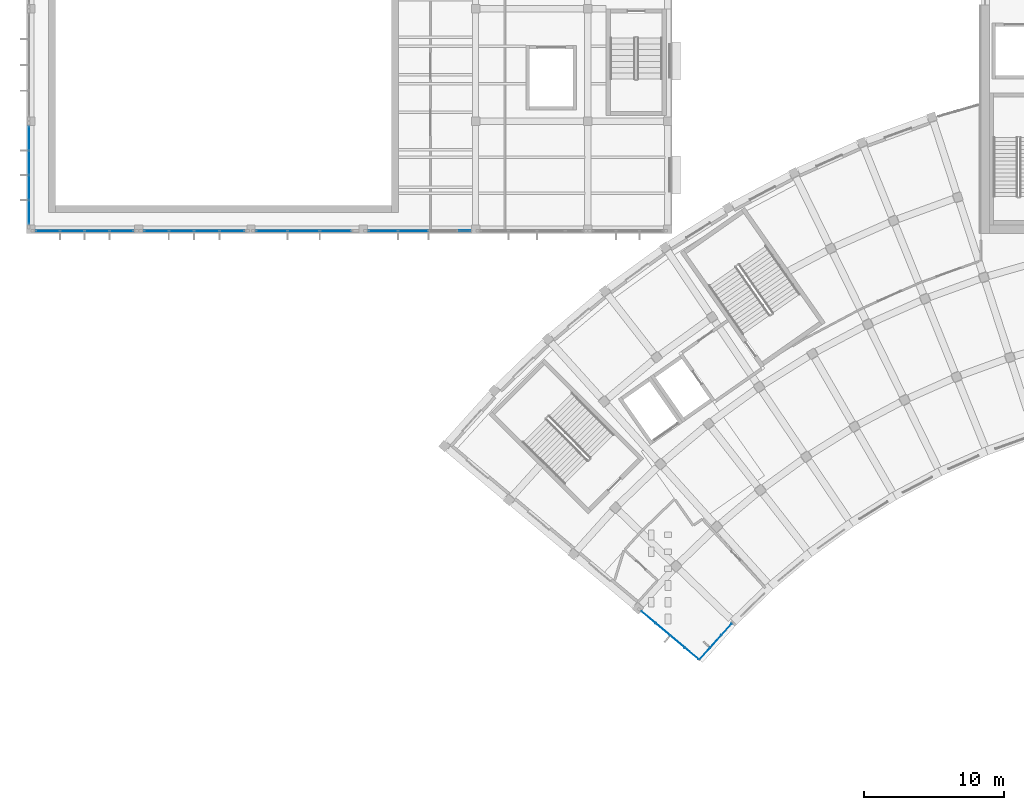
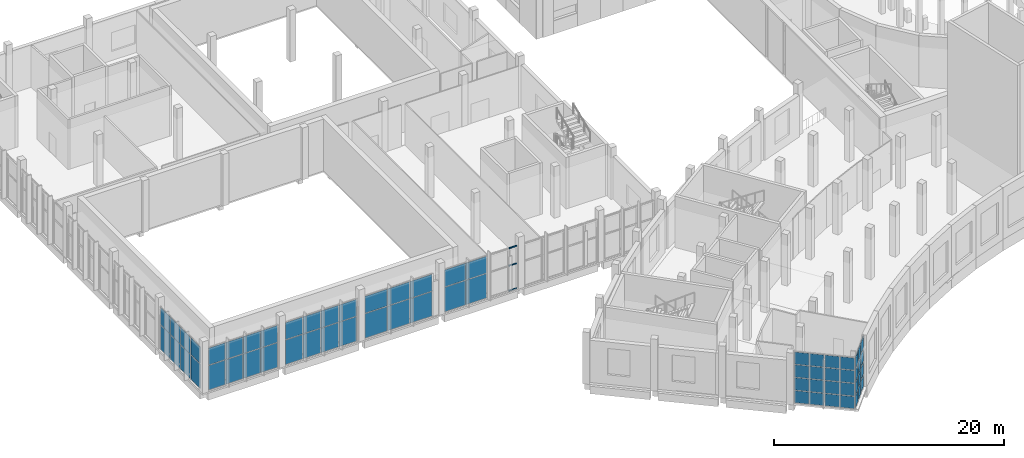
# One storey, part 23 of 87: 62 plates, 3 members, 8 elements without a shape of their own.
"""IFC4 building model written with IfcOpenShell, lengths in metres."""

from ifc_helpers import new_model, si_unit, direction, frame, origin, origin_2d, place, context, subcontext, project, spatial, rectangle, extrude, material, layer, layer_set, material_profile, profile_set, type_object, element, aggregate, save


model = new_model("IFC4")

# Units and contexts
model_context = context("Model", 3, precision=1e-05, world=origin(), true_north=direction((0.0, 1.0)))
body_context = subcontext(model_context, "Body", "Model", "MODEL_VIEW")
ifc_project = project(units=[si_unit("LENGTHUNIT", "METRE"), si_unit("AREAUNIT", "SQUARE_METRE"), si_unit("VOLUMEUNIT", "CUBIC_METRE"), si_unit("PLANEANGLEUNIT", "RADIAN"), si_unit("MASSUNIT", "GRAM", prefix="KILO")], contexts=[model_context])

# Site, building, storey
site_placement = place(None, origin())
site = spatial("IfcSite", under=ifc_project, at=site_placement, CompositionType="ELEMENT")
building_placement = place(site_placement, origin())
building = spatial("IfcBuilding", under=site, at=building_placement, Name="Lunette Opera House", CompositionType="ELEMENT")
storey_placement = place(building_placement, frame((0.0, 0.0, 11.5)))
storey = spatial("IfcBuildingStorey", under=building, at=storey_placement, Name="L02", CompositionType="ELEMENT", Elevation=11.5)

# Curtain wall, members
ifc_material_1 = material(Name="Aluminium", Category="aluminium")
ifc_layer_1 = layer(ifc_material_1, 0.179931640625)
ifc_layer_set_1 = layer_set([ifc_layer_1], Name="Aluminium")
curtain_wall_type_1 = type_object("IfcCurtainWallType", Name="SUN FACE CURTAIN WALL", PredefinedType="NOTDEFINED", material=ifc_layer_set_1)
curtain_wall_1_placement = place(storey_placement, origin())
curtain_wall_1 = element("IfcCurtainWall", 1, at=curtain_wall_1_placement, inside=storey, type_object=curtain_wall_type_1, Name="Sun Face Curtain Wall F23-1 L02", PredefinedType="NOTDEFINED")
ifc_material_2 = material(Name="Aluminium", Category="aluminium")
ifc_material_profile = material_profile(ifc_material_2, rectangle(XDim=0.06005859375, YDim=0.139892578125, at=origin_2d()), Name="TRANSOM 60 X 140")
ifc_profile_set = profile_set([ifc_material_profile], Name="Aluminium")
member_type = type_object("IfcMemberType", Name="TRANSOM 60 X 140", PredefinedType="USERDEFINED", material=ifc_profile_set)
member_1_placement = place(storey_placement, frame((38.847900390625, 64.18310546875, 0.030029296875), z_axis=(1.0, 0.0, 0.0), x_axis=(0.0, 1.0, 0.0)))
member_1 = element("IfcMember", 2, at=member_1_placement, type_object=member_type, Name="RW-X2039 transom 1.1", ObjectType="TRANSOM", PredefinedType="USERDEFINED", context=body_context, shape_type="SweptSolid", body=[
    extrude(rectangle(XDim=0.06005859375, YDim=0.139892578125, at=origin_2d()), origin(), (0.0, 0.0, 1.0), 0.76220703125),
])
member_2_placement = place(storey_placement, frame((38.847900390625, 64.18310546875, 2.675048828125), z_axis=(1.0, 0.0, 0.0), x_axis=(0.0, 1.0, 0.0)))
member_2 = element("IfcMember", 3, at=member_2_placement, type_object=member_type, Name="RW-X2039 transom 1.2", ObjectType="TRANSOM", PredefinedType="USERDEFINED", context=body_context, shape_type="SweptSolid", body=[
    extrude(rectangle(XDim=0.06005859375, YDim=0.139892578125, at=origin_2d()), origin(), (0.0, 0.0, 1.0), 0.76220703125),
])
member_3_placement = place(storey_placement, frame((38.847900390625, 64.18310546875, 4.52001953125), z_axis=(1.0, 0.0, 0.0), x_axis=(0.0, 1.0, 0.0)))
member_3 = element("IfcMember", 4, at=member_3_placement, type_object=member_type, Name="RW-X2039 transom 1.3", ObjectType="TRANSOM", PredefinedType="USERDEFINED", context=body_context, shape_type="SweptSolid", body=[
    extrude(rectangle(XDim=0.06005859375, YDim=0.139892578125, at=origin_2d()), origin(), (0.0, 0.0, 1.0), 0.76220703125),
])
aggregate(curtain_wall_1, [member_1, member_2, member_3])

# Curtain wall, plates
ifc_material_3 = material(Name="Aluminium", Category="aluminium")
ifc_layer_2 = layer(ifc_material_3, 0.159912109375)
ifc_layer_set_2 = layer_set([ifc_layer_2], Name="Aluminium")
curtain_wall_type_2 = type_object("IfcCurtainWallType", Name="CORNER CURTAIN WALL", PredefinedType="NOTDEFINED", material=ifc_layer_set_2)
curtain_wall_2_placement = place(storey_placement, origin())
curtain_wall_2 = element("IfcCurtainWall", 5, at=curtain_wall_2_placement, inside=storey, type_object=curtain_wall_type_2, Name="Corner Curtain Wall GC-W1 L02", PredefinedType="NOTDEFINED")
ifc_material_4 = material(Name="Laminated glass", Category="glass")
ifc_layer_3 = layer(ifc_material_4, 0.028076171875)
ifc_layer_set_3 = layer_set([ifc_layer_3], Name="Laminated glass")
plate_type = type_object("IfcPlateType", Name="CURTAIN PANEL LAMINATED GLASS 28", PredefinedType="CURTAIN_PANEL", material=ifc_layer_set_3)
plate_1_placement = place(storey_placement, frame((57.874267578125, 35.777587890625, 0.06005859375), z_axis=(0.0, 0.0, 1.0), x_axis=(-0.667938143615, -0.744216793887, 0.0)))
plate_1 = element("IfcPlate", 6, at=plate_1_placement, type_object=plate_type, Name="FC-X2165 panel 1.1", PredefinedType="CURTAIN_PANEL", context=body_context, shape_type="SweptSolid", body=[
    extrude(rectangle(XDim=1.07666015625, YDim=0.028076171875, at=origin_2d()), origin(), (0.0, 0.0, 1.0), 1.284912109375),
])
plate_2_placement = place(storey_placement, frame((57.874267578125, 35.777587890625, 1.405029296875), z_axis=(0.0, 0.0, 1.0), x_axis=(-0.667938143615, -0.744216793887, 0.0)))
plate_2 = element("IfcPlate", 7, at=plate_2_placement, type_object=plate_type, Name="FC-X2165 panel 1.2", PredefinedType="CURTAIN_PANEL", context=body_context, shape_type="SweptSolid", body=[
    extrude(rectangle(XDim=1.07666015625, YDim=0.028076171875, at=origin_2d()), origin(), (0.0, 0.0, 1.0), 1.31494140625),
])
plate_3_placement = place(storey_placement, frame((57.874267578125, 35.777587890625, 2.780029296875), z_axis=(0.0, 0.0, 1.0), x_axis=(-0.667938143615, -0.744216793887, 0.0)))
plate_3 = element("IfcPlate", 8, at=plate_3_placement, type_object=plate_type, Name="FC-X2165 panel 1.3", PredefinedType="CURTAIN_PANEL", context=body_context, shape_type="SweptSolid", body=[
    extrude(rectangle(XDim=1.07666015625, YDim=0.028076171875, at=origin_2d()), origin(), (0.0, 0.0, 1.0), 1.31494140625),
])
plate_4_placement = place(storey_placement, frame((57.874267578125, 35.777587890625, 4.1552734375), z_axis=(0.0, 0.0, 1.0), x_axis=(-0.667938143615, -0.744216793887, 0.0)))
plate_4 = element("IfcPlate", 9, at=plate_4_placement, type_object=plate_type, Name="FC-X2165 panel 1.4", PredefinedType="CURTAIN_PANEL", context=body_context, shape_type="SweptSolid", body=[
    extrude(rectangle(XDim=1.07666015625, YDim=0.028076171875, at=origin_2d()), origin(), (0.0, 0.0, 1.0), 1.284912109375),
])
plate_5_placement = place(storey_placement, frame((57.10498046875, 34.92041015625, 0.06005859375), z_axis=(0.0, 0.0, 1.0), x_axis=(-0.667938143615, -0.744216793887, 0.0)))
plate_5 = element("IfcPlate", 10, at=plate_5_placement, type_object=plate_type, Name="FC-X2165 panel 2.1", PredefinedType="CURTAIN_PANEL", context=body_context, shape_type="SweptSolid", body=[
    extrude(rectangle(XDim=1.106689453125, YDim=0.028076171875, at=origin_2d()), origin(), (0.0, 0.0, 1.0), 1.284912109375),
])
plate_6_placement = place(storey_placement, frame((57.10498046875, 34.92041015625, 1.405029296875), z_axis=(0.0, 0.0, 1.0), x_axis=(-0.667938143615, -0.744216793887, 0.0)))
plate_6 = element("IfcPlate", 11, at=plate_6_placement, type_object=plate_type, Name="FC-X2165 panel 2.2", PredefinedType="CURTAIN_PANEL", context=body_context, shape_type="SweptSolid", body=[
    extrude(rectangle(XDim=1.106689453125, YDim=0.028076171875, at=origin_2d()), origin(), (0.0, 0.0, 1.0), 1.31494140625),
])
plate_7_placement = place(storey_placement, frame((57.10498046875, 34.92041015625, 2.780029296875), z_axis=(0.0, 0.0, 1.0), x_axis=(-0.667938143615, -0.744216793887, 0.0)))
plate_7 = element("IfcPlate", 12, at=plate_7_placement, type_object=plate_type, Name="FC-X2165 panel 2.3", PredefinedType="CURTAIN_PANEL", context=body_context, shape_type="SweptSolid", body=[
    extrude(rectangle(XDim=1.106689453125, YDim=0.028076171875, at=origin_2d()), origin(), (0.0, 0.0, 1.0), 1.31494140625),
])
plate_8_placement = place(storey_placement, frame((57.10498046875, 34.92041015625, 4.1552734375), z_axis=(0.0, 0.0, 1.0), x_axis=(-0.667938143615, -0.744216793887, 0.0)))
plate_8 = element("IfcPlate", 13, at=plate_8_placement, type_object=plate_type, Name="FC-X2165 panel 2.4", PredefinedType="CURTAIN_PANEL", context=body_context, shape_type="SweptSolid", body=[
    extrude(rectangle(XDim=1.106689453125, YDim=0.028076171875, at=origin_2d()), origin(), (0.0, 0.0, 1.0), 1.284912109375),
])
plate_9_placement = place(storey_placement, frame((56.335693359375, 34.063232421875, 0.06005859375), z_axis=(0.0, 0.0, 1.0), x_axis=(-0.667938143615, -0.744216793887, 0.0)))
plate_9 = element("IfcPlate", 14, at=plate_9_placement, type_object=plate_type, Name="FC-X2165 panel 3.1", PredefinedType="CURTAIN_PANEL", context=body_context, shape_type="SweptSolid", body=[
    extrude(rectangle(XDim=1.07666015625, YDim=0.028076171875, at=origin_2d()), origin(), (0.0, 0.0, 1.0), 1.284912109375),
])
plate_10_placement = place(storey_placement, frame((56.335693359375, 34.063232421875, 1.405029296875), z_axis=(0.0, 0.0, 1.0), x_axis=(-0.667938143615, -0.744216793887, 0.0)))
plate_10 = element("IfcPlate", 15, at=plate_10_placement, type_object=plate_type, Name="FC-X2165 panel 3.2", PredefinedType="CURTAIN_PANEL", context=body_context, shape_type="SweptSolid", body=[
    extrude(rectangle(XDim=1.07666015625, YDim=0.028076171875, at=origin_2d()), origin(), (0.0, 0.0, 1.0), 1.31494140625),
])
plate_11_placement = place(storey_placement, frame((56.335693359375, 34.063232421875, 2.780029296875), z_axis=(0.0, 0.0, 1.0), x_axis=(-0.667938143615, -0.744216793887, 0.0)))
plate_11 = element("IfcPlate", 16, at=plate_11_placement, type_object=plate_type, Name="FC-X2165 panel 3.3", PredefinedType="CURTAIN_PANEL", context=body_context, shape_type="SweptSolid", body=[
    extrude(rectangle(XDim=1.07666015625, YDim=0.028076171875, at=origin_2d()), origin(), (0.0, 0.0, 1.0), 1.31494140625),
])
plate_12_placement = place(storey_placement, frame((56.335693359375, 34.063232421875, 4.1552734375), z_axis=(0.0, 0.0, 1.0), x_axis=(-0.667938143615, -0.744216793887, 0.0)))
plate_12 = element("IfcPlate", 17, at=plate_12_placement, type_object=plate_type, Name="FC-X2165 panel 3.4", PredefinedType="CURTAIN_PANEL", context=body_context, shape_type="SweptSolid", body=[
    extrude(rectangle(XDim=1.07666015625, YDim=0.028076171875, at=origin_2d()), origin(), (0.0, 0.0, 1.0), 1.284912109375),
])
aggregate(curtain_wall_2, [plate_1, plate_2, plate_3, plate_4, plate_5, plate_6, plate_7, plate_8, plate_9, plate_10, plate_11, plate_12])

curtain_wall_3_placement = place(storey_placement, origin())
curtain_wall_3 = element("IfcCurtainWall", 18, at=curtain_wall_3_placement, inside=storey, type_object=curtain_wall_type_2, Name="Corner Curtain Wall GC-W2 L02", PredefinedType="NOTDEFINED")
plate_13_placement = place(storey_placement, frame((55.407470703125, 34.0615234375, 0.06005859375), z_axis=(0.0, 0.0, 1.0), x_axis=(-0.766000309852, 0.642840201999, 0.0)))
plate_13 = element("IfcPlate", 19, at=plate_13_placement, type_object=plate_type, Name="FC-X2166 panel 1.1", PredefinedType="CURTAIN_PANEL", context=body_context, shape_type="SweptSolid", body=[
    extrude(rectangle(XDim=1.259765625, YDim=0.028076171875, at=origin_2d()), origin(), (0.0, 0.0, 1.0), 1.284912109375),
])
plate_14_placement = place(storey_placement, frame((55.407470703125, 34.0615234375, 1.405029296875), z_axis=(0.0, 0.0, 1.0), x_axis=(-0.766000309852, 0.642840201999, 0.0)))
plate_14 = element("IfcPlate", 20, at=plate_14_placement, type_object=plate_type, Name="FC-X2166 panel 1.2", PredefinedType="CURTAIN_PANEL", context=body_context, shape_type="SweptSolid", body=[
    extrude(rectangle(XDim=1.259765625, YDim=0.028076171875, at=origin_2d()), origin(), (0.0, 0.0, 1.0), 1.31494140625),
])
plate_15_placement = place(storey_placement, frame((55.407470703125, 34.0615234375, 2.780029296875), z_axis=(0.0, 0.0, 1.0), x_axis=(-0.766000309852, 0.642840201999, 0.0)))
plate_15 = element("IfcPlate", 21, at=plate_15_placement, type_object=plate_type, Name="FC-X2166 panel 1.3", PredefinedType="CURTAIN_PANEL", context=body_context, shape_type="SweptSolid", body=[
    extrude(rectangle(XDim=1.259765625, YDim=0.028076171875, at=origin_2d()), origin(), (0.0, 0.0, 1.0), 1.31494140625),
])
plate_16_placement = place(storey_placement, frame((55.407470703125, 34.0615234375, 4.1552734375), z_axis=(0.0, 0.0, 1.0), x_axis=(-0.766000309852, 0.642840201999, 0.0)))
plate_16 = element("IfcPlate", 22, at=plate_16_placement, type_object=plate_type, Name="FC-X2166 panel 1.4", PredefinedType="CURTAIN_PANEL", context=body_context, shape_type="SweptSolid", body=[
    extrude(rectangle(XDim=1.259765625, YDim=0.028076171875, at=origin_2d()), origin(), (0.0, 0.0, 1.0), 1.284912109375),
])
plate_17_placement = place(storey_placement, frame((54.385009765625, 34.919677734375, 0.06005859375), z_axis=(0.0, 0.0, 1.0), x_axis=(-0.766000309852, 0.642840201999, 0.0)))
plate_17 = element("IfcPlate", 23, at=plate_17_placement, type_object=plate_type, Name="FC-X2166 panel 2.1", PredefinedType="CURTAIN_PANEL", context=body_context, shape_type="SweptSolid", body=[
    extrude(rectangle(XDim=1.289794921875, YDim=0.028076171875, at=origin_2d()), origin(), (0.0, 0.0, 1.0), 1.284912109375),
])
plate_18_placement = place(storey_placement, frame((54.385009765625, 34.919677734375, 1.405029296875), z_axis=(0.0, 0.0, 1.0), x_axis=(-0.766000309852, 0.642840201999, 0.0)))
plate_18 = element("IfcPlate", 24, at=plate_18_placement, type_object=plate_type, Name="FC-X2166 panel 2.2", PredefinedType="CURTAIN_PANEL", context=body_context, shape_type="SweptSolid", body=[
    extrude(rectangle(XDim=1.289794921875, YDim=0.028076171875, at=origin_2d()), origin(), (0.0, 0.0, 1.0), 1.31494140625),
])
plate_19_placement = place(storey_placement, frame((54.385009765625, 34.919677734375, 2.780029296875), z_axis=(0.0, 0.0, 1.0), x_axis=(-0.766000309852, 0.642840201999, 0.0)))
plate_19 = element("IfcPlate", 25, at=plate_19_placement, type_object=plate_type, Name="FC-X2166 panel 2.3", PredefinedType="CURTAIN_PANEL", context=body_context, shape_type="SweptSolid", body=[
    extrude(rectangle(XDim=1.289794921875, YDim=0.028076171875, at=origin_2d()), origin(), (0.0, 0.0, 1.0), 1.31494140625),
])
plate_20_placement = place(storey_placement, frame((54.385009765625, 34.919677734375, 4.1552734375), z_axis=(0.0, 0.0, 1.0), x_axis=(-0.766000309852, 0.642840201999, 0.0)))
plate_20 = element("IfcPlate", 26, at=plate_20_placement, type_object=plate_type, Name="FC-X2166 panel 2.4", PredefinedType="CURTAIN_PANEL", context=body_context, shape_type="SweptSolid", body=[
    extrude(rectangle(XDim=1.289794921875, YDim=0.028076171875, at=origin_2d()), origin(), (0.0, 0.0, 1.0), 1.284912109375),
])
plate_21_placement = place(storey_placement, frame((53.35107421875, 35.787353515625, 0.06005859375), z_axis=(0.0, 0.0, 1.0), x_axis=(-0.766000309852, 0.642840201999, 0.0)))
plate_21 = element("IfcPlate", 27, at=plate_21_placement, type_object=plate_type, Name="FC-X2166 panel 3.1", PredefinedType="CURTAIN_PANEL", context=body_context, shape_type="SweptSolid", body=[
    extrude(rectangle(XDim=1.289794921875, YDim=0.028076171875, at=origin_2d()), origin(), (0.0, 0.0, 1.0), 1.284912109375),
])
plate_22_placement = place(storey_placement, frame((53.35107421875, 35.787353515625, 1.405029296875), z_axis=(0.0, 0.0, 1.0), x_axis=(-0.766000309852, 0.642840201999, 0.0)))
plate_22 = element("IfcPlate", 28, at=plate_22_placement, type_object=plate_type, Name="FC-X2166 panel 3.2", PredefinedType="CURTAIN_PANEL", context=body_context, shape_type="SweptSolid", body=[
    extrude(rectangle(XDim=1.289794921875, YDim=0.028076171875, at=origin_2d()), origin(), (0.0, 0.0, 1.0), 1.31494140625),
])
plate_23_placement = place(storey_placement, frame((53.35107421875, 35.787353515625, 2.780029296875), z_axis=(0.0, 0.0, 1.0), x_axis=(-0.766000309852, 0.642840201999, 0.0)))
plate_23 = element("IfcPlate", 29, at=plate_23_placement, type_object=plate_type, Name="FC-X2166 panel 3.3", PredefinedType="CURTAIN_PANEL", context=body_context, shape_type="SweptSolid", body=[
    extrude(rectangle(XDim=1.289794921875, YDim=0.028076171875, at=origin_2d()), origin(), (0.0, 0.0, 1.0), 1.31494140625),
])
plate_24_placement = place(storey_placement, frame((53.35107421875, 35.787353515625, 4.1552734375), z_axis=(0.0, 0.0, 1.0), x_axis=(-0.766000309852, 0.642840201999, 0.0)))
plate_24 = element("IfcPlate", 30, at=plate_24_placement, type_object=plate_type, Name="FC-X2166 panel 3.4", PredefinedType="CURTAIN_PANEL", context=body_context, shape_type="SweptSolid", body=[
    extrude(rectangle(XDim=1.289794921875, YDim=0.028076171875, at=origin_2d()), origin(), (0.0, 0.0, 1.0), 1.284912109375),
])
plate_25_placement = place(storey_placement, frame((52.328369140625, 36.6455078125, 0.06005859375), z_axis=(0.0, 0.0, 1.0), x_axis=(-0.766000309852, 0.642840201999, 0.0)))
plate_25 = element("IfcPlate", 31, at=plate_25_placement, type_object=plate_type, Name="FC-X2166 panel 4.1", PredefinedType="CURTAIN_PANEL", context=body_context, shape_type="SweptSolid", body=[
    extrude(rectangle(XDim=1.259765625, YDim=0.028076171875, at=origin_2d()), origin(), (0.0, 0.0, 1.0), 1.284912109375),
])
plate_26_placement = place(storey_placement, frame((52.328369140625, 36.6455078125, 1.405029296875), z_axis=(0.0, 0.0, 1.0), x_axis=(-0.766000309852, 0.642840201999, 0.0)))
plate_26 = element("IfcPlate", 32, at=plate_26_placement, type_object=plate_type, Name="FC-X2166 panel 4.2", PredefinedType="CURTAIN_PANEL", context=body_context, shape_type="SweptSolid", body=[
    extrude(rectangle(XDim=1.259765625, YDim=0.028076171875, at=origin_2d()), origin(), (0.0, 0.0, 1.0), 1.31494140625),
])
plate_27_placement = place(storey_placement, frame((52.328369140625, 36.6455078125, 2.780029296875), z_axis=(0.0, 0.0, 1.0), x_axis=(-0.766000309852, 0.642840201999, 0.0)))
plate_27 = element("IfcPlate", 33, at=plate_27_placement, type_object=plate_type, Name="FC-X2166 panel 4.3", PredefinedType="CURTAIN_PANEL", context=body_context, shape_type="SweptSolid", body=[
    extrude(rectangle(XDim=1.259765625, YDim=0.028076171875, at=origin_2d()), origin(), (0.0, 0.0, 1.0), 1.31494140625),
])
plate_28_placement = place(storey_placement, frame((52.328369140625, 36.6455078125, 4.1552734375), z_axis=(0.0, 0.0, 1.0), x_axis=(-0.766000309852, 0.642840201999, 0.0)))
plate_28 = element("IfcPlate", 34, at=plate_28_placement, type_object=plate_type, Name="FC-X2166 panel 4.4", PredefinedType="CURTAIN_PANEL", context=body_context, shape_type="SweptSolid", body=[
    extrude(rectangle(XDim=1.259765625, YDim=0.028076171875, at=origin_2d()), origin(), (0.0, 0.0, 1.0), 1.284912109375),
])
aggregate(curtain_wall_3, [plate_13, plate_14, plate_15, plate_16, plate_17, plate_18, plate_19, plate_20, plate_21, plate_22, plate_23, plate_24, plate_25, plate_26, plate_27, plate_28])

curtain_wall_4_placement = place(storey_placement, origin())
curtain_wall_4 = element("IfcCurtainWall", 35, at=curtain_wall_4_placement, inside=storey, type_object=curtain_wall_type_1, Name="Sun Face Curtain Wall F18 L02", PredefinedType="NOTDEFINED")
plate_29_placement = place(storey_placement, frame((8.181884765625, 70.77490234375, 0.06005859375), z_axis=(0.0, 0.0, 1.0), x_axis=(0.0, -1.0, 0.0)))
plate_29 = element("IfcPlate", 36, at=plate_29_placement, type_object=plate_type, Name="RW-X2034 panel 1.1", PredefinedType="CURTAIN_PANEL", context=body_context, shape_type="SweptSolid", body=[
    extrude(rectangle(XDim=1.669921875, YDim=0.028076171875, at=origin_2d()), origin(), (0.0, 0.0, 1.0), 2.5849609375),
])
plate_30_placement = place(storey_placement, frame((8.181884765625, 70.77490234375, 2.705078125), z_axis=(0.0, 0.0, 1.0), x_axis=(0.0, -1.0, 0.0)))
plate_30 = element("IfcPlate", 37, at=plate_30_placement, type_object=plate_type, Name="RW-X2034 panel 1.2", PredefinedType="CURTAIN_PANEL", context=body_context, shape_type="SweptSolid", body=[
    extrude(rectangle(XDim=1.669921875, YDim=0.028076171875, at=origin_2d()), origin(), (0.0, 0.0, 1.0), 1.784912109375),
])
plate_31_placement = place(storey_placement, frame((8.181884765625, 69.030029296875, 0.06005859375), z_axis=(0.0, 0.0, 1.0), x_axis=(0.0, -1.0, 0.0)))
plate_31 = element("IfcPlate", 38, at=plate_31_placement, type_object=plate_type, Name="RW-X2034 panel 2.1", PredefinedType="CURTAIN_PANEL", context=body_context, shape_type="SweptSolid", body=[
    extrude(rectangle(XDim=1.699951171875, YDim=0.028076171875, at=origin_2d()), origin(), (0.0, 0.0, 1.0), 2.5849609375),
])
plate_32_placement = place(storey_placement, frame((8.181884765625, 69.030029296875, 2.705078125), z_axis=(0.0, 0.0, 1.0), x_axis=(0.0, -1.0, 0.0)))
plate_32 = element("IfcPlate", 39, at=plate_32_placement, type_object=plate_type, Name="RW-X2034 panel 2.2", PredefinedType="CURTAIN_PANEL", context=body_context, shape_type="SweptSolid", body=[
    extrude(rectangle(XDim=1.699951171875, YDim=0.028076171875, at=origin_2d()), origin(), (0.0, 0.0, 1.0), 1.784912109375),
])
plate_33_placement = place(storey_placement, frame((8.181884765625, 67.27001953125, 0.06005859375), z_axis=(0.0, 0.0, 1.0), x_axis=(0.0, -1.0, 0.0)))
plate_33 = element("IfcPlate", 40, at=plate_33_placement, type_object=plate_type, Name="RW-X2034 panel 3.1", PredefinedType="CURTAIN_PANEL", context=body_context, shape_type="SweptSolid", body=[
    extrude(rectangle(XDim=1.699951171875, YDim=0.028076171875, at=origin_2d()), origin(), (0.0, 0.0, 1.0), 2.5849609375),
])
plate_34_placement = place(storey_placement, frame((8.181884765625, 67.27001953125, 2.705078125), z_axis=(0.0, 0.0, 1.0), x_axis=(0.0, -1.0, 0.0)))
plate_34 = element("IfcPlate", 41, at=plate_34_placement, type_object=plate_type, Name="RW-X2034 panel 3.2", PredefinedType="CURTAIN_PANEL", context=body_context, shape_type="SweptSolid", body=[
    extrude(rectangle(XDim=1.699951171875, YDim=0.028076171875, at=origin_2d()), origin(), (0.0, 0.0, 1.0), 1.784912109375),
])
plate_35_placement = place(storey_placement, frame((8.181884765625, 65.52490234375, 0.06005859375), z_axis=(0.0, 0.0, 1.0), x_axis=(0.0, -1.0, 0.0)))
plate_35 = element("IfcPlate", 42, at=plate_35_placement, type_object=plate_type, Name="RW-X2034 panel 4.1", PredefinedType="CURTAIN_PANEL", context=body_context, shape_type="SweptSolid", body=[
    extrude(rectangle(XDim=1.669921875, YDim=0.028076171875, at=origin_2d()), origin(), (0.0, 0.0, 1.0), 2.5849609375),
])
plate_36_placement = place(storey_placement, frame((8.181884765625, 65.52490234375, 2.705078125), z_axis=(0.0, 0.0, 1.0), x_axis=(0.0, -1.0, 0.0)))
plate_36 = element("IfcPlate", 43, at=plate_36_placement, type_object=plate_type, Name="RW-X2034 panel 4.2", PredefinedType="CURTAIN_PANEL", context=body_context, shape_type="SweptSolid", body=[
    extrude(rectangle(XDim=1.669921875, YDim=0.028076171875, at=origin_2d()), origin(), (0.0, 0.0, 1.0), 1.784912109375),
])
aggregate(curtain_wall_4, [plate_29, plate_30, plate_31, plate_32, plate_33, plate_34, plate_35, plate_36])

curtain_wall_5_placement = place(storey_placement, origin())
curtain_wall_5 = element("IfcCurtainWall", 44, at=curtain_wall_5_placement, inside=storey, type_object=curtain_wall_type_1, Name="Sun Face Curtain Wall F19 L02", PredefinedType="NOTDEFINED")
plate_37_placement = place(storey_placement, frame((9.52490234375, 64.18310546875, 0.06005859375), z_axis=(0.0, 0.0, 1.0), x_axis=(1.0, 0.0, 0.0)))
plate_37 = element("IfcPlate", 45, at=plate_37_placement, type_object=plate_type, Name="RW-X2035 panel 1.1", PredefinedType="CURTAIN_PANEL", context=body_context, shape_type="SweptSolid", body=[
    extrude(rectangle(XDim=1.669921875, YDim=0.028076171875, at=origin_2d()), origin(), (0.0, 0.0, 1.0), 2.5849609375),
])
plate_38_placement = place(storey_placement, frame((9.52490234375, 64.18310546875, 2.705078125), z_axis=(0.0, 0.0, 1.0), x_axis=(1.0, 0.0, 0.0)))
plate_38 = element("IfcPlate", 46, at=plate_38_placement, type_object=plate_type, Name="RW-X2035 panel 1.2", PredefinedType="CURTAIN_PANEL", context=body_context, shape_type="SweptSolid", body=[
    extrude(rectangle(XDim=1.669921875, YDim=0.028076171875, at=origin_2d()), origin(), (0.0, 0.0, 1.0), 1.784912109375),
])
plate_39_placement = place(storey_placement, frame((11.27001953125, 64.18310546875, 0.06005859375), z_axis=(0.0, 0.0, 1.0), x_axis=(1.0, 0.0, 0.0)))
plate_39 = element("IfcPlate", 47, at=plate_39_placement, type_object=plate_type, Name="RW-X2035 panel 2.1", PredefinedType="CURTAIN_PANEL", context=body_context, shape_type="SweptSolid", body=[
    extrude(rectangle(XDim=1.699951171875, YDim=0.028076171875, at=origin_2d()), origin(), (0.0, 0.0, 1.0), 2.5849609375),
])
plate_40_placement = place(storey_placement, frame((11.27001953125, 64.18310546875, 2.705078125), z_axis=(0.0, 0.0, 1.0), x_axis=(1.0, 0.0, 0.0)))
plate_40 = element("IfcPlate", 48, at=plate_40_placement, type_object=plate_type, Name="RW-X2035 panel 2.2", PredefinedType="CURTAIN_PANEL", context=body_context, shape_type="SweptSolid", body=[
    extrude(rectangle(XDim=1.699951171875, YDim=0.028076171875, at=origin_2d()), origin(), (0.0, 0.0, 1.0), 1.784912109375),
])
plate_41_placement = place(storey_placement, frame((13.030029296875, 64.18310546875, 0.06005859375), z_axis=(0.0, 0.0, 1.0), x_axis=(1.0, 0.0, 0.0)))
plate_41 = element("IfcPlate", 49, at=plate_41_placement, type_object=plate_type, Name="RW-X2035 panel 3.1", PredefinedType="CURTAIN_PANEL", context=body_context, shape_type="SweptSolid", body=[
    extrude(rectangle(XDim=1.699951171875, YDim=0.028076171875, at=origin_2d()), origin(), (0.0, 0.0, 1.0), 2.5849609375),
])
plate_42_placement = place(storey_placement, frame((13.030029296875, 64.18310546875, 2.705078125), z_axis=(0.0, 0.0, 1.0), x_axis=(1.0, 0.0, 0.0)))
plate_42 = element("IfcPlate", 50, at=plate_42_placement, type_object=plate_type, Name="RW-X2035 panel 3.2", PredefinedType="CURTAIN_PANEL", context=body_context, shape_type="SweptSolid", body=[
    extrude(rectangle(XDim=1.699951171875, YDim=0.028076171875, at=origin_2d()), origin(), (0.0, 0.0, 1.0), 1.784912109375),
])
plate_43_placement = place(storey_placement, frame((14.77490234375, 64.18310546875, 0.06005859375), z_axis=(0.0, 0.0, 1.0), x_axis=(1.0, 0.0, 0.0)))
plate_43 = element("IfcPlate", 51, at=plate_43_placement, type_object=plate_type, Name="RW-X2035 panel 4.1", PredefinedType="CURTAIN_PANEL", context=body_context, shape_type="SweptSolid", body=[
    extrude(rectangle(XDim=1.669921875, YDim=0.028076171875, at=origin_2d()), origin(), (0.0, 0.0, 1.0), 2.5849609375),
])
plate_44_placement = place(storey_placement, frame((14.77490234375, 64.18310546875, 2.705078125), z_axis=(0.0, 0.0, 1.0), x_axis=(1.0, 0.0, 0.0)))
plate_44 = element("IfcPlate", 52, at=plate_44_placement, type_object=plate_type, Name="RW-X2035 panel 4.2", PredefinedType="CURTAIN_PANEL", context=body_context, shape_type="SweptSolid", body=[
    extrude(rectangle(XDim=1.669921875, YDim=0.028076171875, at=origin_2d()), origin(), (0.0, 0.0, 1.0), 1.784912109375),
])
aggregate(curtain_wall_5, [plate_37, plate_38, plate_39, plate_40, plate_41, plate_42, plate_43, plate_44])

curtain_wall_6_placement = place(storey_placement, origin())
curtain_wall_6 = element("IfcCurtainWall", 53, at=curtain_wall_6_placement, inside=storey, type_object=curtain_wall_type_1, Name="Sun Face Curtain Wall F20 L02", PredefinedType="NOTDEFINED")
plate_45_placement = place(storey_placement, frame((17.2509765625, 64.18310546875, 0.06005859375), z_axis=(0.0, 0.0, 1.0), x_axis=(1.0, 0.0, 0.0)))
plate_45 = element("IfcPlate", 54, at=plate_45_placement, type_object=plate_type, Name="RW-X2036 panel 1.1", PredefinedType="CURTAIN_PANEL", context=body_context, shape_type="SweptSolid", body=[
    extrude(rectangle(XDim=1.7216796875, YDim=0.028076171875, at=origin_2d()), origin(), (0.0, 0.0, 1.0), 2.5849609375),
])
plate_46_placement = place(storey_placement, frame((17.2509765625, 64.18310546875, 2.705078125), z_axis=(0.0, 0.0, 1.0), x_axis=(1.0, 0.0, 0.0)))
plate_46 = element("IfcPlate", 55, at=plate_46_placement, type_object=plate_type, Name="RW-X2036 panel 1.2", PredefinedType="CURTAIN_PANEL", context=body_context, shape_type="SweptSolid", body=[
    extrude(rectangle(XDim=1.7216796875, YDim=0.028076171875, at=origin_2d()), origin(), (0.0, 0.0, 1.0), 1.784912109375),
])
plate_47_placement = place(storey_placement, frame((19.047607421875, 64.18310546875, 0.06005859375), z_axis=(0.0, 0.0, 1.0), x_axis=(1.0, 0.0, 0.0)))
plate_47 = element("IfcPlate", 56, at=plate_47_placement, type_object=plate_type, Name="RW-X2036 panel 2.1", PredefinedType="CURTAIN_PANEL", context=body_context, shape_type="SweptSolid", body=[
    extrude(rectangle(XDim=1.751708984375, YDim=0.028076171875, at=origin_2d()), origin(), (0.0, 0.0, 1.0), 2.5849609375),
])
plate_48_placement = place(storey_placement, frame((19.047607421875, 64.18310546875, 2.705078125), z_axis=(0.0, 0.0, 1.0), x_axis=(1.0, 0.0, 0.0)))
plate_48 = element("IfcPlate", 57, at=plate_48_placement, type_object=plate_type, Name="RW-X2036 panel 2.2", PredefinedType="CURTAIN_PANEL", context=body_context, shape_type="SweptSolid", body=[
    extrude(rectangle(XDim=1.751708984375, YDim=0.028076171875, at=origin_2d()), origin(), (0.0, 0.0, 1.0), 1.784912109375),
])
plate_49_placement = place(storey_placement, frame((20.859375, 64.18310546875, 0.06005859375), z_axis=(0.0, 0.0, 1.0), x_axis=(1.0, 0.0, 0.0)))
plate_49 = element("IfcPlate", 58, at=plate_49_placement, type_object=plate_type, Name="RW-X2036 panel 3.1", PredefinedType="CURTAIN_PANEL", context=body_context, shape_type="SweptSolid", body=[
    extrude(rectangle(XDim=1.751708984375, YDim=0.028076171875, at=origin_2d()), origin(), (0.0, 0.0, 1.0), 2.5849609375),
])
plate_50_placement = place(storey_placement, frame((20.859375, 64.18310546875, 2.705078125), z_axis=(0.0, 0.0, 1.0), x_axis=(1.0, 0.0, 0.0)))
plate_50 = element("IfcPlate", 59, at=plate_50_placement, type_object=plate_type, Name="RW-X2036 panel 3.2", PredefinedType="CURTAIN_PANEL", context=body_context, shape_type="SweptSolid", body=[
    extrude(rectangle(XDim=1.751708984375, YDim=0.028076171875, at=origin_2d()), origin(), (0.0, 0.0, 1.0), 1.784912109375),
])
plate_51_placement = place(storey_placement, frame((22.656005859375, 64.18310546875, 0.06005859375), z_axis=(0.0, 0.0, 1.0), x_axis=(1.0, 0.0, 0.0)))
plate_51 = element("IfcPlate", 60, at=plate_51_placement, type_object=plate_type, Name="RW-X2036 panel 4.1", PredefinedType="CURTAIN_PANEL", context=body_context, shape_type="SweptSolid", body=[
    extrude(rectangle(XDim=1.7216796875, YDim=0.028076171875, at=origin_2d()), origin(), (0.0, 0.0, 1.0), 2.5849609375),
])
plate_52_placement = place(storey_placement, frame((22.656005859375, 64.18310546875, 2.705078125), z_axis=(0.0, 0.0, 1.0), x_axis=(1.0, 0.0, 0.0)))
plate_52 = element("IfcPlate", 61, at=plate_52_placement, type_object=plate_type, Name="RW-X2036 panel 4.2", PredefinedType="CURTAIN_PANEL", context=body_context, shape_type="SweptSolid", body=[
    extrude(rectangle(XDim=1.7216796875, YDim=0.028076171875, at=origin_2d()), origin(), (0.0, 0.0, 1.0), 1.784912109375),
])
aggregate(curtain_wall_6, [plate_45, plate_46, plate_47, plate_48, plate_49, plate_50, plate_51, plate_52])

curtain_wall_7_placement = place(storey_placement, origin())
curtain_wall_7 = element("IfcCurtainWall", 62, at=curtain_wall_7_placement, inside=storey, type_object=curtain_wall_type_1, Name="Sun Face Curtain Wall F21 L02", PredefinedType="NOTDEFINED")
plate_53_placement = place(storey_placement, frame((25.487060546875, 64.18310546875, 0.06005859375), z_axis=(0.0, 0.0, 1.0), x_axis=(1.0, 0.0, 0.0)))
plate_53 = element("IfcPlate", 63, at=plate_53_placement, type_object=plate_type, Name="RW-X2037 panel 1.1", PredefinedType="CURTAIN_PANEL", context=body_context, shape_type="SweptSolid", body=[
    extrude(rectangle(XDim=2.1943359375, YDim=0.028076171875, at=origin_2d()), origin(), (0.0, 0.0, 1.0), 2.5849609375),
])
plate_54_placement = place(storey_placement, frame((25.487060546875, 64.18310546875, 2.705078125), z_axis=(0.0, 0.0, 1.0), x_axis=(1.0, 0.0, 0.0)))
plate_54 = element("IfcPlate", 64, at=plate_54_placement, type_object=plate_type, Name="RW-X2037 panel 1.2", PredefinedType="CURTAIN_PANEL", context=body_context, shape_type="SweptSolid", body=[
    extrude(rectangle(XDim=2.1943359375, YDim=0.028076171875, at=origin_2d()), origin(), (0.0, 0.0, 1.0), 1.784912109375),
])
plate_55_placement = place(storey_placement, frame((27.756591796875, 64.18310546875, 0.06005859375), z_axis=(0.0, 0.0, 1.0), x_axis=(1.0, 0.0, 0.0)))
plate_55 = element("IfcPlate", 65, at=plate_55_placement, type_object=plate_type, Name="RW-X2037 panel 2.1", PredefinedType="CURTAIN_PANEL", context=body_context, shape_type="SweptSolid", body=[
    extrude(rectangle(XDim=2.224365234375, YDim=0.028076171875, at=origin_2d()), origin(), (0.0, 0.0, 1.0), 2.5849609375),
])
plate_56_placement = place(storey_placement, frame((27.756591796875, 64.18310546875, 2.705078125), z_axis=(0.0, 0.0, 1.0), x_axis=(1.0, 0.0, 0.0)))
plate_56 = element("IfcPlate", 66, at=plate_56_placement, type_object=plate_type, Name="RW-X2037 panel 2.2", PredefinedType="CURTAIN_PANEL", context=body_context, shape_type="SweptSolid", body=[
    extrude(rectangle(XDim=2.224365234375, YDim=0.028076171875, at=origin_2d()), origin(), (0.0, 0.0, 1.0), 1.784912109375),
])
plate_57_placement = place(storey_placement, frame((30.02587890625, 64.18310546875, 0.06005859375), z_axis=(0.0, 0.0, 1.0), x_axis=(1.0, 0.0, 0.0)))
plate_57 = element("IfcPlate", 67, at=plate_57_placement, type_object=plate_type, Name="RW-X2037 panel 3.1", PredefinedType="CURTAIN_PANEL", context=body_context, shape_type="SweptSolid", body=[
    extrude(rectangle(XDim=2.1943359375, YDim=0.028076171875, at=origin_2d()), origin(), (0.0, 0.0, 1.0), 2.5849609375),
])
plate_58_placement = place(storey_placement, frame((30.02587890625, 64.18310546875, 2.705078125), z_axis=(0.0, 0.0, 1.0), x_axis=(1.0, 0.0, 0.0)))
plate_58 = element("IfcPlate", 68, at=plate_58_placement, type_object=plate_type, Name="RW-X2037 panel 3.2", PredefinedType="CURTAIN_PANEL", context=body_context, shape_type="SweptSolid", body=[
    extrude(rectangle(XDim=2.1943359375, YDim=0.028076171875, at=origin_2d()), origin(), (0.0, 0.0, 1.0), 1.784912109375),
])
aggregate(curtain_wall_7, [plate_53, plate_54, plate_55, plate_56, plate_57, plate_58])

curtain_wall_8_placement = place(storey_placement, origin())
curtain_wall_8 = element("IfcCurtainWall", 69, at=curtain_wall_8_placement, inside=storey, type_object=curtain_wall_type_1, Name="Sun Face Curtain Wall F22 L02", PredefinedType="NOTDEFINED")
plate_59_placement = place(storey_placement, frame((33.42138671875, 64.18310546875, 0.06005859375), z_axis=(0.0, 0.0, 1.0), x_axis=(1.0, 0.0, 0.0)))
plate_59 = element("IfcPlate", 70, at=plate_59_placement, type_object=plate_type, Name="RW-X2038 panel 1.1", PredefinedType="CURTAIN_PANEL", context=body_context, shape_type="SweptSolid", body=[
    extrude(rectangle(XDim=2.062744140625, YDim=0.028076171875, at=origin_2d()), origin(), (0.0, 0.0, 1.0), 2.5849609375),
])
plate_60_placement = place(storey_placement, frame((33.42138671875, 64.18310546875, 2.705078125), z_axis=(0.0, 0.0, 1.0), x_axis=(1.0, 0.0, 0.0)))
plate_60 = element("IfcPlate", 71, at=plate_60_placement, type_object=plate_type, Name="RW-X2038 panel 1.2", PredefinedType="CURTAIN_PANEL", context=body_context, shape_type="SweptSolid", body=[
    extrude(rectangle(XDim=2.062744140625, YDim=0.028076171875, at=origin_2d()), origin(), (0.0, 0.0, 1.0), 1.784912109375),
])
plate_61_placement = place(storey_placement, frame((35.55908203125, 64.18310546875, 0.06005859375), z_axis=(0.0, 0.0, 1.0), x_axis=(1.0, 0.0, 0.0)))
plate_61 = element("IfcPlate", 72, at=plate_61_placement, type_object=plate_type, Name="RW-X2038 panel 2.1", PredefinedType="CURTAIN_PANEL", context=body_context, shape_type="SweptSolid", body=[
    extrude(rectangle(XDim=2.0927734375, YDim=0.028076171875, at=origin_2d()), origin(), (0.0, 0.0, 1.0), 2.5849609375),
])
plate_62_placement = place(storey_placement, frame((35.55908203125, 64.18310546875, 2.705078125), z_axis=(0.0, 0.0, 1.0), x_axis=(1.0, 0.0, 0.0)))
plate_62 = element("IfcPlate", 73, at=plate_62_placement, type_object=plate_type, Name="RW-X2038 panel 2.2", PredefinedType="CURTAIN_PANEL", context=body_context, shape_type="SweptSolid", body=[
    extrude(rectangle(XDim=2.0927734375, YDim=0.028076171875, at=origin_2d()), origin(), (0.0, 0.0, 1.0), 1.784912109375),
])
aggregate(curtain_wall_8, [plate_59, plate_60, plate_61, plate_62])

save(model, "model.ifc")
